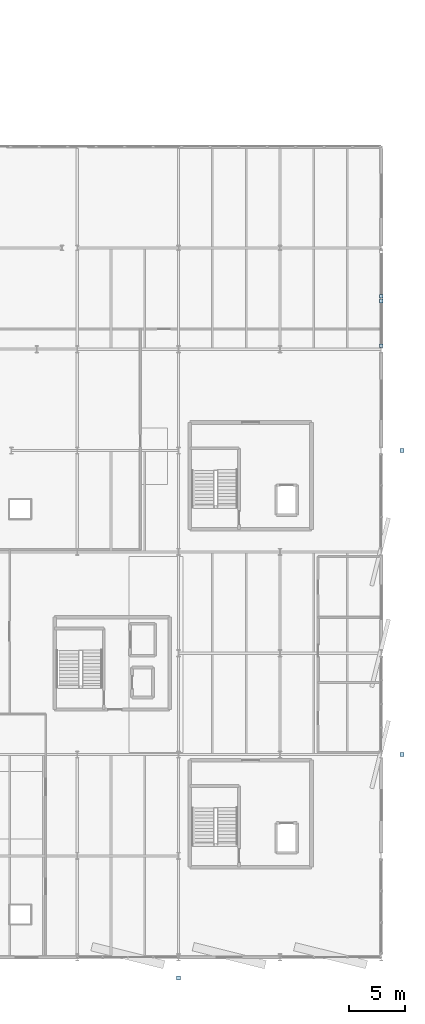
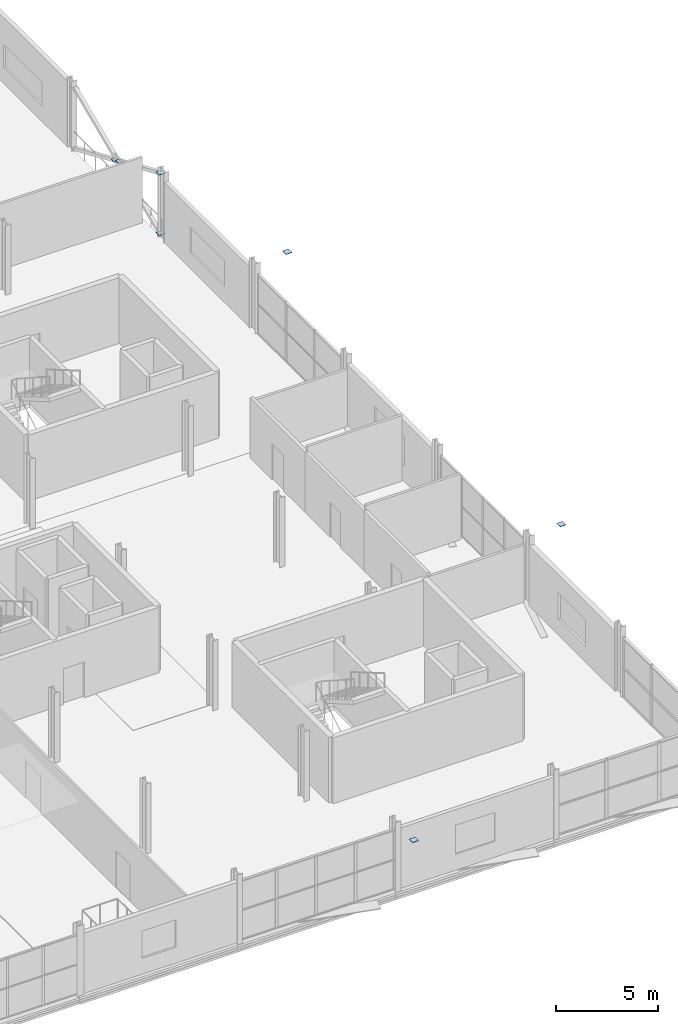
# One storey, part 69 of 88: 7 plates.
"""IFC4 building model written with IfcOpenShell, lengths in metres."""

from ifc_helpers import new_model, si_unit, direction, frame, origin, origin_2d, place, context, subcontext, project, spatial, rectangle, extrude, material, layer, layer_set, type_object, element, save


model = new_model("IFC4")

# Units and contexts
model_context = context("Model", 3, precision=1e-05, world=origin(), true_north=direction((0.0, 1.0)))
body_context = subcontext(model_context, "Body", "Model", "MODEL_VIEW")
ifc_project = project(units=[si_unit("LENGTHUNIT", "METRE"), si_unit("AREAUNIT", "SQUARE_METRE"), si_unit("VOLUMEUNIT", "CUBIC_METRE"), si_unit("PLANEANGLEUNIT", "RADIAN"), si_unit("MASSUNIT", "GRAM", prefix="KILO")], contexts=[model_context])

# Site, building, storey
site_placement = place(None, origin())
site = spatial("IfcSite", under=ifc_project, at=site_placement, CompositionType="ELEMENT")
building_placement = place(site_placement, origin())
building = spatial("IfcBuilding", under=site, at=building_placement, Name="Deido Ridge Mobility Hub", CompositionType="ELEMENT")
storey_placement = place(building_placement, frame((0.0, 0.0, 16.800048828125)))
storey = spatial("IfcBuildingStorey", under=building, at=storey_placement, Name="L04", CompositionType="ELEMENT", Elevation=16.800048828125)

# Plates
ifc_material = material(Name="Steel S355J2 EN 10025-2", Category="steel")
ifc_layer = layer(ifc_material, 0.02197265625, Name="Steel S355J2 EN 10025-2")
ifc_layer_set = layer_set([ifc_layer], Name="Steel S355J2 EN 10025-2")
plate_type = type_object("IfcPlateType", Name="PLT-CAP-22", PredefinedType="USERDEFINED", material=ifc_layer_set)
for number, where, z_axis, x_axis, name in (
    (1, (180.0, 54.300048828125, 0.1689453125), (0.0, 0.0, 1.0), (1.0, 0.0, 0.0), "Brace sealed end-cap plate EC2 29"),
    (2, (180.0, 54.300048828125, 3.80908203125), (0.0, 0.0, 1.0), (1.0, 0.0, 0.0), "Brace sealed end-cap plate EC2 32"),
    (3, (180.0, 58.72021484375, 1.8935546875), (0.0, 0.0, 1.0), (1.0, 0.0, 0.0), "Brace sealed end-cap plate EC2 33"),
    (4, (180.0, 58.27978515625, 2.08447265625), (0.0, 0.0, 1.0), (1.0, 0.0, 0.0), "Brace sealed end-cap plate EC2 34"),
):
    element("IfcPlate", number, at=place(storey_placement, frame(where, z_axis=z_axis, x_axis=x_axis)), inside=storey, type_object=plate_type, Name=name, ObjectType="END CAP PLATE", PredefinedType="USERDEFINED", context=body_context, shape_type="SweptSolid", body=[
        extrude(rectangle(XDim=0.320068359375, YDim=0.320068359375, at=origin_2d()), origin(), (0.0, 0.0, 1.0), 0.02197265625),
    ])
for number, where, z_axis, x_axis, name in (
    (5, (162.0, -1.85009765625, 4.0390625), (0.0, 0.0, 1.0), (1.0, 0.0, 0.0), "Diagrid node cap plate EC2 150"),
    (6, (181.85009765625, 18.0, 4.0390625), (0.0, 0.0, 1.0), (1.0, 0.0, 0.0), "Diagrid node cap plate EC2 155"),
    (7, (181.85009765625, 45.0, 4.0390625), (0.0, 0.0, 1.0), (1.0, 0.0, 0.0), "Diagrid node cap plate EC2 158"),
):
    element("IfcPlate", number, at=place(storey_placement, frame(where, z_axis=z_axis, x_axis=x_axis)), inside=storey, type_object=plate_type, Name=name, ObjectType="END CAP PLATE", PredefinedType="USERDEFINED", context=body_context, shape_type="SweptSolid", body=[
        extrude(rectangle(XDim=0.340087890625, YDim=0.340087890625, at=origin_2d()), origin(), (0.0, 0.0, 1.0), 0.02197265625),
    ])

save(model, "model.ifc")
